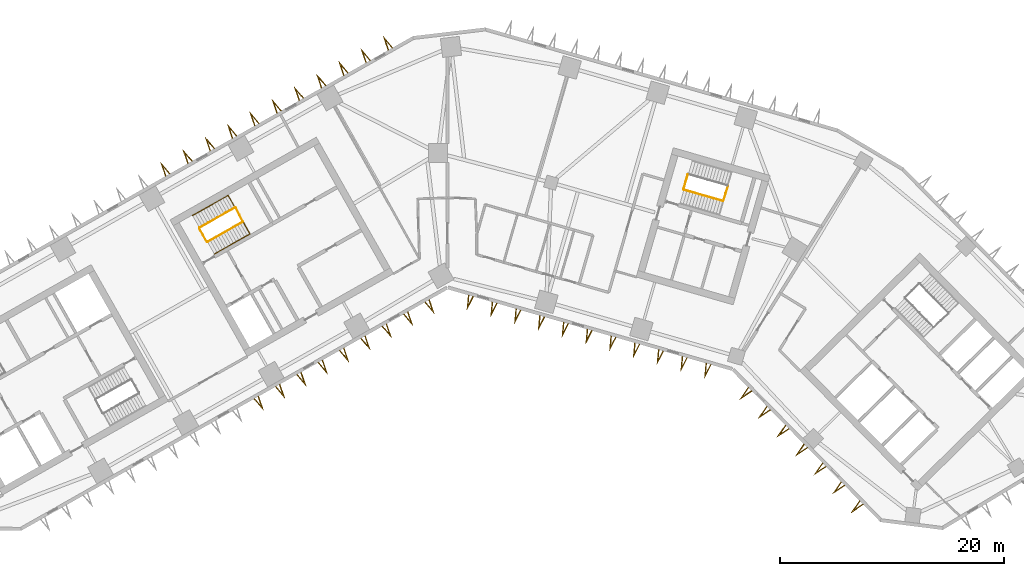
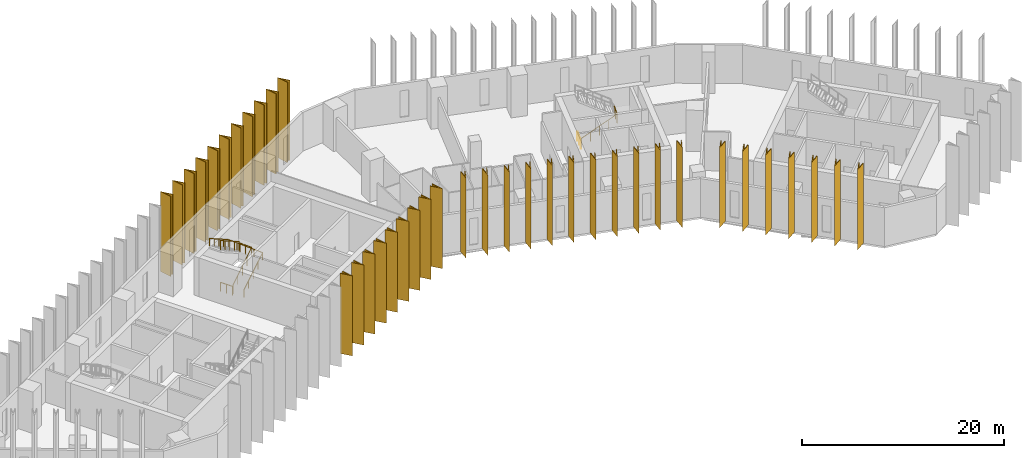
# One storey, part 10 of 11: 38 shading devices, 6 railings.
"""IFC4 building model written with IfcOpenShell, lengths in metres."""

from ifc_helpers import new_model, si_unit, direction, frame, origin, origin_2d, place, context, subcontext, project, spatial, polyline, circle, outline, extrude, material, type_object, element, save


model = new_model("IFC4")

# Units and contexts
model_context = context("Model", 3, precision=1e-05, world=origin(), true_north=direction((0.0, 1.0)))
body_context = subcontext(model_context, "Body", "Model", "MODEL_VIEW")
ifc_project = project(units=[si_unit("LENGTHUNIT", "METRE"), si_unit("AREAUNIT", "SQUARE_METRE"), si_unit("VOLUMEUNIT", "CUBIC_METRE"), si_unit("PLANEANGLEUNIT", "RADIAN"), si_unit("MASSUNIT", "GRAM", prefix="KILO")], contexts=[model_context])

# Site, building, storey
site_placement = place(None, origin())
site = spatial("IfcSite", under=ifc_project, at=site_placement, CompositionType="ELEMENT")
building_placement = place(site_placement, origin())
building = spatial("IfcBuilding", under=site, at=building_placement, Name="Binnacle Exchange Tower", CompositionType="ELEMENT")
storey_placement = place(building_placement, frame((0.0, 0.0, 46.5)))
storey = spatial("IfcBuildingStorey", under=building, at=storey_placement, Name="L09", CompositionType="ELEMENT", Elevation=46.5)

# Railings
ifc_material_1 = material(Name="Steel guard rail", Category="steel")
railing_type_1 = type_object("IfcRailingType", Name="STAIR GUARD 1100", PredefinedType="GUARDRAIL", material=ifc_material_1)
railing_1_placement = place(storey_placement, frame((-21.423828125, 52.07275390625, 0.178466796875)))
element("IfcRailing", 1, at=railing_1_placement, inside=storey, type_object=railing_type_1, Name="L09 STC1 stair guard 1", PredefinedType="GUARDRAIL", context=body_context, shape_type="SweptSolid", body=[
    extrude(circle(Radius=0.02392578125, at=origin_2d()), frame((0.0, 0.0, 1.076171875), z_axis=(0.733838880464, 0.415127627455, 0.537726278364), x_axis=(-0.492371057291, 0.870385398511, 0.0)), (0.0, 0.0, 1.0), 4.3173828125),
    extrude(circle(Radius=0.02392578125, at=origin_2d()), frame((3.168212890625, 1.792236328125, 3.3974609375), z_axis=(-0.461100321709, 0.887348011391, 0.0), x_axis=(-0.887348011391, -0.461100321709, 0.0)), (0.0, 0.0, 1.0), 1.40087890625),
    extrude(circle(Radius=0.02099609375, at=origin_2d()), origin(), (0.0, 0.0, 1.0), 1.052001953125),
    extrude(circle(Radius=0.02099609375, at=origin_2d()), frame((0.7919921875, 0.447998046875, 0.580322265625)), (0.0, 0.0, 1.0), 1.052001953125),
    extrude(circle(Radius=0.02099609375, at=origin_2d()), frame((1.583984375, 0.89599609375, 1.16064453125)), (0.0, 0.0, 1.0), 1.052001953125),
    extrude(circle(Radius=0.02099609375, at=origin_2d()), frame((2.376220703125, 1.34423828125, 1.7412109375)), (0.0, 0.0, 1.0), 1.052001953125),
    extrude(circle(Radius=0.02099609375, at=origin_2d()), frame((3.168212890625, 1.792236328125, 2.321533203125)), (0.0, 0.0, 1.0), 1.052001953125),
    extrude(circle(Radius=0.02099609375, at=origin_2d()), frame((2.84521484375, 2.413818359375, 2.321533203125)), (0.0, 0.0, 1.0), 1.052001953125),
    extrude(circle(Radius=0.02099609375, at=origin_2d()), frame((2.522216796875, 3.035400390625, 2.321533203125)), (0.0, 0.0, 1.0), 1.052001953125),
])
railing_2_placement = place(storey_placement, frame((-18.9697265625, 55.126953125, 2.678466796875)))
element("IfcRailing", 2, at=railing_2_placement, inside=storey, type_object=railing_type_1, Name="L09 STC1 stair guard 2", PredefinedType="GUARDRAIL", context=body_context, shape_type="SweptSolid", body=[
    extrude(circle(Radius=0.02392578125, at=origin_2d()), frame((0.0, 0.0, 1.076171875), z_axis=(-0.733812782489, -0.415144854829, 0.537748593457), x_axis=(0.492399802317, -0.870369137021, 0.0)), (0.0, 0.0, 1.0), 4.317138671875),
    extrude(circle(Radius=0.02099609375, at=origin_2d()), origin(), (0.0, 0.0, 1.0), 1.052001953125),
    extrude(circle(Radius=0.02099609375, at=origin_2d()), frame((-0.7919921875, -0.447998046875, 0.580322265625)), (0.0, 0.0, 1.0), 1.052001953125),
    extrude(circle(Radius=0.02099609375, at=origin_2d()), frame((-1.583984375, -0.89599609375, 1.16064453125)), (0.0, 0.0, 1.0), 1.052001953125),
    extrude(circle(Radius=0.02099609375, at=origin_2d()), frame((-2.3759765625, -1.34423828125, 1.7412109375)), (0.0, 0.0, 1.0), 1.052001953125),
    extrude(circle(Radius=0.02099609375, at=origin_2d()), frame((-3.16796875, -1.792236328125, 2.321533203125)), (0.0, 0.0, 1.0), 1.052001953125),
])
railing_3_placement = place(storey_placement, frame((-21.491943359375, 52.091552734375, 0.0)))
element("IfcRailing", 3, at=railing_3_placement, inside=storey, type_object=railing_type_1, Name="L09 STC1 stair guard 3", PredefinedType="GUARDRAIL", context=body_context, shape_type="SweptSolid", body=[
    extrude(circle(Radius=0.02392578125, at=origin_2d()), frame((0.0, 0.0, 1.076171875), z_axis=(-0.49241474071, 0.870360685654, 0.0), x_axis=(-0.870360685654, -0.49241474071, 0.0)), (0.0, 0.0, 1.0), 1.35009765625),
    extrude(circle(Radius=0.02099609375, at=origin_2d()), origin(), (0.0, 0.0, 1.0), 1.052001953125),
    extrude(circle(Radius=0.02099609375, at=origin_2d()), frame((-0.33251953125, 0.58740234375, 0.0)), (0.0, 0.0, 1.0), 1.052001953125),
    extrude(circle(Radius=0.02099609375, at=origin_2d()), frame((-0.664794921875, 1.175048828125, 0.0)), (0.0, 0.0, 1.0), 1.052001953125),
])
railing_4_placement = place(storey_placement, frame((21.086669921875, 56.71044921875, 0.178466796875)))
element("IfcRailing", 4, at=railing_4_placement, inside=storey, type_object=railing_type_1, Name="L09 STD1 stair guard 1", PredefinedType="GUARDRAIL", context=body_context, shape_type="SweptSolid", body=[
    extrude(circle(Radius=0.02392578125, at=origin_2d()), frame((0.0, 0.0, 1.076171875), z_axis=(0.810455892038, -0.232415135102, 0.537721537635), x_axis=(0.275659984683, 0.961255206927, 0.0)), (0.0, 0.0, 1.0), 4.3173828125),
    extrude(circle(Radius=0.02392578125, at=origin_2d()), frame((3.4990234375, -1.00341796875, 3.3974609375), z_axis=(0.309684985722, 0.950839213337, 0.0), x_axis=(-0.950839213337, 0.309684985722, 0.0)), (0.0, 0.0, 1.0), 1.40087890625),
    extrude(circle(Radius=0.02099609375, at=origin_2d()), origin(), (0.0, 0.0, 1.0), 1.052001953125),
    extrude(circle(Radius=0.02099609375, at=origin_2d()), frame((0.874755859375, -0.2509765625, 0.580322265625)), (0.0, 0.0, 1.0), 1.052001953125),
    extrude(circle(Radius=0.02099609375, at=origin_2d()), frame((1.74951171875, -0.501708984375, 1.16064453125)), (0.0, 0.0, 1.0), 1.052001953125),
    extrude(circle(Radius=0.02099609375, at=origin_2d()), frame((2.624267578125, -0.75244140625, 1.7412109375)), (0.0, 0.0, 1.0), 1.052001953125),
    extrude(circle(Radius=0.02099609375, at=origin_2d()), frame((3.4990234375, -1.00341796875, 2.321533203125)), (0.0, 0.0, 1.0), 1.052001953125),
    extrude(circle(Radius=0.02099609375, at=origin_2d()), frame((3.7158203125, -0.33740234375, 2.321533203125)), (0.0, 0.0, 1.0), 1.052001953125),
    extrude(circle(Radius=0.02099609375, at=origin_2d()), frame((3.932861328125, 0.32861328125, 2.321533203125)), (0.0, 0.0, 1.0), 1.052001953125),
])
railing_5_placement = place(storey_placement, frame((21.05224609375, 56.772216796875, 0.0)))
element("IfcRailing", 5, at=railing_5_placement, inside=storey, type_object=railing_type_1, Name="L09 STD1 stair guard 3", PredefinedType="GUARDRAIL", context=body_context, shape_type="SweptSolid", body=[
    extrude(circle(Radius=0.02392578125, at=origin_2d()), frame((0.0, 0.0, 1.076171875), z_axis=(0.275795817769, 0.961216243569, 0.0), x_axis=(-0.961216243569, 0.275795817769, 0.0)), (0.0, 0.0, 1.0), 1.349853515625),
    extrude(circle(Radius=0.02099609375, at=origin_2d()), origin(), (0.0, 0.0, 1.0), 1.052001953125),
    extrude(circle(Radius=0.02099609375, at=origin_2d()), frame((0.18603515625, 0.64892578125, 0.0)), (0.0, 0.0, 1.0), 1.052001953125),
    extrude(circle(Radius=0.02099609375, at=origin_2d()), frame((0.372314453125, 1.297607421875, 0.0)), (0.0, 0.0, 1.0), 1.052001953125),
])
ifc_material_2 = material(Name="Steel handrail", Category="steel")
railing_type_2 = type_object("IfcRailingType", Name="STAIR HANDRAIL 900", PredefinedType="HANDRAIL", material=ifc_material_2)
railing_6_placement = place(storey_placement, frame((-20.808349609375, 50.984619140625, 0.178466796875)))
element("IfcRailing", 6, at=railing_6_placement, inside=storey, type_object=railing_type_2, Name="L09 STC1 stair handrail 1", PredefinedType="HANDRAIL", context=body_context, shape_type="SweptSolid", body=[
    extrude(circle(Radius=0.02392578125, at=origin_2d()), frame((0.0, 0.0, 0.8759765625), z_axis=(0.733821652932, 0.415174429824, 0.537713654753), x_axis=(-0.492421866095, 0.870356654361, 0.0)), (0.0, 0.0, 1.0), 4.3173828125),
    extrude(circle(Radius=0.02392578125, at=origin_2d()), frame((3.168212890625, 1.79248046875, 3.197265625), z_axis=(-0.491911810019, 0.86947434526, 0.045134621956), x_axis=(-0.870361318571, -0.492413622004, 0.0)), (0.0, 0.0, 1.0), 3.9541015625),
    extrude(circle(Radius=0.02392578125, at=origin_2d()), frame((1.22314453125, 5.23046875, 3.3759765625), z_axis=(-0.733821652932, -0.415174429824, 0.537713654753), x_axis=(0.492421866095, -0.870356654361, 0.0)), (0.0, 0.0, 1.0), 4.3173828125),
    extrude(circle(Radius=0.02099609375, at=origin_2d()), origin(), (0.0, 0.0, 1.0), 0.851806640625),
    extrude(circle(Radius=0.02099609375, at=origin_2d()), frame((0.7919921875, 0.4482421875, 0.580322265625)), (0.0, 0.0, 1.0), 0.851806640625),
    extrude(circle(Radius=0.02099609375, at=origin_2d()), frame((1.583984375, 0.896240234375, 1.16064453125)), (0.0, 0.0, 1.0), 0.851806640625),
    extrude(circle(Radius=0.02099609375, at=origin_2d()), frame((2.376220703125, 1.34423828125, 1.7412109375)), (0.0, 0.0, 1.0), 0.851806640625),
    extrude(circle(Radius=0.02099609375, at=origin_2d()), frame((3.168212890625, 1.79248046875, 2.321533203125)), (0.0, 0.0, 1.0), 0.851806640625),
    extrude(circle(Radius=0.02099609375, at=origin_2d()), frame((2.681884765625, 2.65185546875, 2.3662109375)), (0.0, 0.0, 1.0), 0.851806640625),
    extrude(circle(Radius=0.02099609375, at=origin_2d()), frame((2.19580078125, 3.511474609375, 2.41064453125)), (0.0, 0.0, 1.0), 0.851806640625),
    extrude(circle(Radius=0.02099609375, at=origin_2d()), frame((1.70947265625, 4.37109375, 2.455322265625)), (0.0, 0.0, 1.0), 0.851806640625),
    extrude(circle(Radius=0.02099609375, at=origin_2d()), frame((1.22314453125, 5.23046875, 2.5)), (0.0, 0.0, 1.0), 0.851806640625),
    extrude(circle(Radius=0.02099609375, at=origin_2d()), frame((0.43115234375, 4.7822265625, 3.080322265625)), (0.0, 0.0, 1.0), 0.851806640625),
    extrude(circle(Radius=0.02099609375, at=origin_2d()), frame((-0.36083984375, 4.334228515625, 3.66064453125)), (0.0, 0.0, 1.0), 0.851806640625),
    extrude(circle(Radius=0.02099609375, at=origin_2d()), frame((-1.153076171875, 3.88623046875, 4.2412109375)), (0.0, 0.0, 1.0), 0.851806640625),
    extrude(circle(Radius=0.02099609375, at=origin_2d()), frame((-1.945068359375, 3.43798828125, 4.821533203125)), (0.0, 0.0, 1.0), 0.851806640625),
])

# Shading devices
ifc_material_3 = material(Name="Bronze aluminium cladding", Category="aluminium")
shading_device_type = type_object("IfcShadingDeviceType", Name="V FIN 1300 DEEP x 9680 HIGH", PredefinedType="USERDEFINED", material=ifc_material_3)
shading_device_1_placement = place(storey_placement, origin())
element("IfcShadingDevice", 7, at=shading_device_1_placement, inside=storey, type_object=shading_device_type, Name="V fin FN-F03-01 L09", ObjectType="FIN", PredefinedType="USERDEFINED", context=body_context, shape_type="SweptSolid", body=[
    extrude(outline(polyline([(-4.88916015625, 69.40625), (-5.746826171875, 70.41455078125), (-5.32421875, 69.159912109375), (-5.25341796875, 69.2001953125), (-5.5380859375, 70.0458984375), (-4.9599609375, 69.3662109375), (-4.88916015625, 69.40625)])), origin(), (0.0, 0.0, 1.0), 9.679931640625),
])
shading_device_2_placement = place(storey_placement, origin())
element("IfcShadingDevice", 8, at=shading_device_2_placement, inside=storey, type_object=shading_device_type, Name="V fin FN-F03-02 L09", ObjectType="FIN", PredefinedType="USERDEFINED", context=body_context, shape_type="SweptSolid", body=[
    extrude(outline(polyline([(-6.87548828125, 68.2822265625), (-7.7333984375, 69.290771484375), (-7.310791015625, 68.0361328125), (-7.239990234375, 68.076171875), (-7.524658203125, 68.922119140625), (-6.946533203125, 68.2421875), (-6.87548828125, 68.2822265625)])), origin(), (0.0, 0.0, 1.0), 9.679931640625),
])
shading_device_3_placement = place(storey_placement, origin())
element("IfcShadingDevice", 9, at=shading_device_3_placement, inside=storey, type_object=shading_device_type, Name="V fin FN-F03-03 L09", ObjectType="FIN", PredefinedType="USERDEFINED", context=body_context, shape_type="SweptSolid", body=[
    extrude(outline(polyline([(-8.862060546875, 67.158203125), (-9.719970703125, 68.166748046875), (-9.29736328125, 66.912109375), (-9.226318359375, 66.9521484375), (-9.51123046875, 67.798095703125), (-8.93310546875, 67.1181640625), (-8.862060546875, 67.158203125)])), origin(), (0.0, 0.0, 1.0), 9.679931640625),
])
shading_device_4_placement = place(storey_placement, origin())
element("IfcShadingDevice", 10, at=shading_device_4_placement, inside=storey, type_object=shading_device_type, Name="V fin FN-F03-04 L09", ObjectType="FIN", PredefinedType="USERDEFINED", context=body_context, shape_type="SweptSolid", body=[
    extrude(outline(polyline([(-10.8486328125, 66.034423828125), (-11.70654296875, 67.042724609375), (-11.283935546875, 65.7880859375), (-11.212890625, 65.828369140625), (-11.497802734375, 66.674072265625), (-10.919677734375, 65.994384765625), (-10.8486328125, 66.034423828125)])), origin(), (0.0, 0.0, 1.0), 9.679931640625),
])
shading_device_5_placement = place(storey_placement, origin())
element("IfcShadingDevice", 11, at=shading_device_5_placement, inside=storey, type_object=shading_device_type, Name="V fin FN-F03-05 L09", ObjectType="FIN", PredefinedType="USERDEFINED", context=body_context, shape_type="SweptSolid", body=[
    extrude(outline(polyline([(-12.835205078125, 64.910400390625), (-13.693115234375, 65.9189453125), (-13.2705078125, 64.664306640625), (-13.199462890625, 64.704345703125), (-13.484375, 65.55029296875), (-12.906005859375, 64.870361328125), (-12.835205078125, 64.910400390625)])), origin(), (0.0, 0.0, 1.0), 9.679931640625),
])
shading_device_6_placement = place(storey_placement, origin())
element("IfcShadingDevice", 12, at=shading_device_6_placement, inside=storey, type_object=shading_device_type, Name="V fin FN-F03-06 L09", ObjectType="FIN", PredefinedType="USERDEFINED", context=body_context, shape_type="SweptSolid", body=[
    extrude(outline(polyline([(-14.82177734375, 63.78662109375), (-15.6796875, 64.794921875), (-15.257080078125, 63.540283203125), (-15.18603515625, 63.580322265625), (-15.470947265625, 64.42626953125), (-14.892578125, 63.746337890625), (-14.82177734375, 63.78662109375)])), origin(), (0.0, 0.0, 1.0), 9.679931640625),
])
shading_device_7_placement = place(storey_placement, origin())
element("IfcShadingDevice", 13, at=shading_device_7_placement, inside=storey, type_object=shading_device_type, Name="V fin FN-F03-07 L09", ObjectType="FIN", PredefinedType="USERDEFINED", context=body_context, shape_type="SweptSolid", body=[
    extrude(outline(polyline([(-16.808349609375, 62.66259765625), (-17.666015625, 63.6708984375), (-17.243408203125, 62.41650390625), (-17.172607421875, 62.45654296875), (-17.45751953125, 63.30224609375), (-16.879150390625, 62.62255859375), (-16.808349609375, 62.66259765625)])), origin(), (0.0, 0.0, 1.0), 9.679931640625),
])
shading_device_8_placement = place(storey_placement, origin())
element("IfcShadingDevice", 14, at=shading_device_8_placement, inside=storey, type_object=shading_device_type, Name="V fin FN-F03-08 L09", ObjectType="FIN", PredefinedType="USERDEFINED", context=body_context, shape_type="SweptSolid", body=[
    extrude(outline(polyline([(-18.794921875, 61.53857421875), (-19.652587890625, 62.547119140625), (-19.22998046875, 61.29248046875), (-19.1591796875, 61.33251953125), (-19.444091796875, 62.17822265625), (-18.86572265625, 61.49853515625), (-18.794921875, 61.53857421875)])), origin(), (0.0, 0.0, 1.0), 9.679931640625),
])
shading_device_9_placement = place(storey_placement, origin())
element("IfcShadingDevice", 15, at=shading_device_9_placement, inside=storey, type_object=shading_device_type, Name="V fin FN-F03-09 L09", ObjectType="FIN", PredefinedType="USERDEFINED", context=body_context, shape_type="SweptSolid", body=[
    extrude(outline(polyline([(-20.781494140625, 60.414794921875), (-21.639404296875, 61.423095703125), (-21.216796875, 60.16845703125), (-21.145751953125, 60.20849609375), (-21.4306640625, 61.054443359375), (-20.852294921875, 60.37451171875), (-20.781494140625, 60.414794921875)])), origin(), (0.0, 0.0, 1.0), 9.679931640625),
])
shading_device_10_placement = place(storey_placement, origin())
element("IfcShadingDevice", 16, at=shading_device_10_placement, inside=storey, type_object=shading_device_type, Name="V fin FN-F03-10 L09", ObjectType="FIN", PredefinedType="USERDEFINED", context=body_context, shape_type="SweptSolid", body=[
    extrude(outline(polyline([(-22.76806640625, 59.290771484375), (-23.625732421875, 60.29931640625), (-23.203125, 59.044677734375), (-23.13232421875, 59.084716796875), (-23.4169921875, 59.930419921875), (-22.8388671875, 59.250732421875), (-22.76806640625, 59.290771484375)])), origin(), (0.0, 0.0, 1.0), 9.679931640625),
])
shading_device_11_placement = place(storey_placement, origin())
element("IfcShadingDevice", 17, at=shading_device_11_placement, inside=storey, type_object=shading_device_type, Name="V fin FN-F03-11 L09", ObjectType="FIN", PredefinedType="USERDEFINED", context=body_context, shape_type="SweptSolid", body=[
    extrude(outline(polyline([(-24.754638671875, 58.166748046875), (-25.6123046875, 59.17529296875), (-25.189697265625, 57.920654296875), (-25.118896484375, 57.960693359375), (-25.40380859375, 58.806396484375), (-24.825439453125, 58.126708984375), (-24.754638671875, 58.166748046875)])), origin(), (0.0, 0.0, 1.0), 9.679931640625),
])
shading_device_12_placement = place(storey_placement, origin())
element("IfcShadingDevice", 18, at=shading_device_12_placement, inside=storey, type_object=shading_device_type, Name="V fin FN-F07-11 L09", ObjectType="FIN", PredefinedType="USERDEFINED", context=body_context, shape_type="SweptSolid", body=[
    extrude(outline(polyline([(-17.28759765625, 38.046875), (-16.429931640625, 37.038330078125), (-16.8525390625, 38.29296875), (-16.92333984375, 38.2529296875), (-16.638671875, 37.406982421875), (-17.216796875, 38.0869140625), (-17.28759765625, 38.046875)])), origin(), (0.0, 0.0, 1.0), 9.679931640625),
])
shading_device_13_placement = place(storey_placement, origin())
element("IfcShadingDevice", 19, at=shading_device_13_placement, inside=storey, type_object=shading_device_type, Name="V fin FN-F07-12 L09", ObjectType="FIN", PredefinedType="USERDEFINED", context=body_context, shape_type="SweptSolid", body=[
    extrude(outline(polyline([(-15.3828125, 39.12451171875), (-14.525146484375, 38.1162109375), (-14.94775390625, 39.37060546875), (-15.0185546875, 39.33056640625), (-14.73388671875, 38.48486328125), (-15.31201171875, 39.16455078125), (-15.3828125, 39.12451171875)])), origin(), (0.0, 0.0, 1.0), 9.679931640625),
])
shading_device_14_placement = place(storey_placement, origin())
element("IfcShadingDevice", 20, at=shading_device_14_placement, inside=storey, type_object=shading_device_type, Name="V fin FN-F07-13 L09", ObjectType="FIN", PredefinedType="USERDEFINED", context=body_context, shape_type="SweptSolid", body=[
    extrude(outline(polyline([(-13.477783203125, 40.2021484375), (-12.6201171875, 39.19384765625), (-13.042724609375, 40.448486328125), (-13.113525390625, 40.408203125), (-12.828857421875, 39.5625), (-13.406982421875, 40.2421875), (-13.477783203125, 40.2021484375)])), origin(), (0.0, 0.0, 1.0), 9.679931640625),
])
shading_device_15_placement = place(storey_placement, origin())
element("IfcShadingDevice", 21, at=shading_device_15_placement, inside=storey, type_object=shading_device_type, Name="V fin FN-F07-14 L09", ObjectType="FIN", PredefinedType="USERDEFINED", context=body_context, shape_type="SweptSolid", body=[
    extrude(outline(polyline([(-11.572998046875, 41.280029296875), (-10.715087890625, 40.271484375), (-11.1376953125, 41.526123046875), (-11.208740234375, 41.486083984375), (-10.923828125, 40.640380859375), (-11.502197265625, 41.320068359375), (-11.572998046875, 41.280029296875)])), origin(), (0.0, 0.0, 1.0), 9.679931640625),
])
shading_device_16_placement = place(storey_placement, origin())
element("IfcShadingDevice", 22, at=shading_device_16_placement, inside=storey, type_object=shading_device_type, Name="V fin FN-F07-15 L09", ObjectType="FIN", PredefinedType="USERDEFINED", context=body_context, shape_type="SweptSolid", body=[
    extrude(outline(polyline([(-9.668212890625, 42.357666015625), (-8.810302734375, 41.349365234375), (-9.23291015625, 42.60400390625), (-9.303955078125, 42.563720703125), (-9.01904296875, 41.718017578125), (-9.597412109375, 42.397705078125), (-9.668212890625, 42.357666015625)])), origin(), (0.0, 0.0, 1.0), 9.679931640625),
])
shading_device_17_placement = place(storey_placement, origin())
element("IfcShadingDevice", 23, at=shading_device_17_placement, inside=storey, type_object=shading_device_type, Name="V fin FN-F07-16 L09", ObjectType="FIN", PredefinedType="USERDEFINED", context=body_context, shape_type="SweptSolid", body=[
    extrude(outline(polyline([(-7.76318359375, 43.435302734375), (-6.905517578125, 42.427001953125), (-7.327880859375, 43.681640625), (-7.39892578125, 43.6416015625), (-7.114013671875, 42.795654296875), (-7.6923828125, 43.4755859375), (-7.76318359375, 43.435302734375)])), origin(), (0.0, 0.0, 1.0), 9.679931640625),
])
shading_device_18_placement = place(storey_placement, origin())
element("IfcShadingDevice", 24, at=shading_device_18_placement, inside=storey, type_object=shading_device_type, Name="V fin FN-F07-17 L09", ObjectType="FIN", PredefinedType="USERDEFINED", context=body_context, shape_type="SweptSolid", body=[
    extrude(outline(polyline([(-5.8583984375, 44.51318359375), (-5.00048828125, 43.5048828125), (-5.423095703125, 44.759521484375), (-5.494140625, 44.71923828125), (-5.209228515625, 43.87353515625), (-5.78759765625, 44.55322265625), (-5.8583984375, 44.51318359375)])), origin(), (0.0, 0.0, 1.0), 9.679931640625),
])
shading_device_19_placement = place(storey_placement, origin())
element("IfcShadingDevice", 25, at=shading_device_19_placement, inside=storey, type_object=shading_device_type, Name="V fin FN-F07-18 L09", ObjectType="FIN", PredefinedType="USERDEFINED", context=body_context, shape_type="SweptSolid", body=[
    extrude(outline(polyline([(-3.95361328125, 45.5908203125), (-3.095703125, 44.58251953125), (-3.518310546875, 45.837158203125), (-3.589111328125, 45.797119140625), (-3.304443359375, 44.951171875), (-3.882568359375, 45.631103515625), (-3.95361328125, 45.5908203125)])), origin(), (0.0, 0.0, 1.0), 9.679931640625),
])
shading_device_20_placement = place(storey_placement, origin())
element("IfcShadingDevice", 26, at=shading_device_20_placement, inside=storey, type_object=shading_device_type, Name="V fin FN-F07-19 L09", ObjectType="FIN", PredefinedType="USERDEFINED", context=body_context, shape_type="SweptSolid", body=[
    extrude(outline(polyline([(-2.048583984375, 46.668701171875), (-1.19091796875, 45.660400390625), (-1.61328125, 46.914794921875), (-1.684326171875, 46.874755859375), (-1.3994140625, 46.029052734375), (-1.977783203125, 46.708740234375), (-2.048583984375, 46.668701171875)])), origin(), (0.0, 0.0, 1.0), 9.679931640625),
])
shading_device_21_placement = place(storey_placement, origin())
element("IfcShadingDevice", 27, at=shading_device_21_placement, inside=storey, type_object=shading_device_type, Name="V fin FN-F08-01 L09", ObjectType="FIN", PredefinedType="USERDEFINED", context=body_context, shape_type="SweptSolid", body=[
    extrude(outline(polyline([(1.837890625, 47.31689453125), (1.719970703125, 45.998291015625), (2.318603515625, 47.17919921875), (2.240234375, 47.201416015625), (1.836669921875, 46.405517578125), (1.916259765625, 47.29443359375), (1.837890625, 47.31689453125)])), origin(), (0.0, 0.0, 1.0), 9.679931640625),
])
shading_device_22_placement = place(storey_placement, origin())
element("IfcShadingDevice", 28, at=shading_device_22_placement, inside=storey, type_object=shading_device_type, Name="V fin FN-F08-02 L09", ObjectType="FIN", PredefinedType="USERDEFINED", context=body_context, shape_type="SweptSolid", body=[
    extrude(outline(polyline([(3.957763671875, 46.708984375), (3.839599609375, 45.390625), (4.438232421875, 46.5712890625), (4.360107421875, 46.59375), (3.956298828125, 45.7978515625), (4.035888671875, 46.686767578125), (3.957763671875, 46.708984375)])), origin(), (0.0, 0.0, 1.0), 9.679931640625),
])
shading_device_23_placement = place(storey_placement, origin())
element("IfcShadingDevice", 29, at=shading_device_23_placement, inside=storey, type_object=shading_device_type, Name="V fin FN-F08-03 L09", ObjectType="FIN", PredefinedType="USERDEFINED", context=body_context, shape_type="SweptSolid", body=[
    extrude(outline(polyline([(6.077392578125, 46.101318359375), (5.95947265625, 44.78271484375), (6.55810546875, 45.96337890625), (6.479736328125, 45.98583984375), (6.076171875, 45.18994140625), (6.15576171875, 46.078857421875), (6.077392578125, 46.101318359375)])), origin(), (0.0, 0.0, 1.0), 9.679931640625),
])
shading_device_24_placement = place(storey_placement, origin())
element("IfcShadingDevice", 30, at=shading_device_24_placement, inside=storey, type_object=shading_device_type, Name="V fin FN-F08-04 L09", ObjectType="FIN", PredefinedType="USERDEFINED", context=body_context, shape_type="SweptSolid", body=[
    extrude(outline(polyline([(8.197021484375, 45.493408203125), (8.0791015625, 44.175048828125), (8.677734375, 45.355712890625), (8.599365234375, 45.378173828125), (8.19580078125, 44.582275390625), (8.275390625, 45.47119140625), (8.197021484375, 45.493408203125)])), origin(), (0.0, 0.0, 1.0), 9.679931640625),
])
shading_device_25_placement = place(storey_placement, origin())
element("IfcShadingDevice", 31, at=shading_device_25_placement, inside=storey, type_object=shading_device_type, Name="V fin FN-F08-05 L09", ObjectType="FIN", PredefinedType="USERDEFINED", context=body_context, shape_type="SweptSolid", body=[
    extrude(outline(polyline([(10.316650390625, 44.8857421875), (10.19873046875, 43.567138671875), (10.79736328125, 44.747802734375), (10.718994140625, 44.770263671875), (10.3154296875, 43.974365234375), (10.39501953125, 44.86328125), (10.316650390625, 44.8857421875)])), origin(), (0.0, 0.0, 1.0), 9.679931640625),
])
shading_device_26_placement = place(storey_placement, origin())
element("IfcShadingDevice", 32, at=shading_device_26_placement, inside=storey, type_object=shading_device_type, Name="V fin FN-F08-06 L09", ObjectType="FIN", PredefinedType="USERDEFINED", context=body_context, shape_type="SweptSolid", body=[
    extrude(outline(polyline([(12.436279296875, 44.27783203125), (12.318359375, 42.95947265625), (12.9169921875, 44.14013671875), (12.838623046875, 44.16259765625), (12.43505859375, 43.36669921875), (12.5146484375, 44.255615234375), (12.436279296875, 44.27783203125)])), origin(), (0.0, 0.0, 1.0), 9.679931640625),
])
shading_device_27_placement = place(storey_placement, origin())
element("IfcShadingDevice", 33, at=shading_device_27_placement, inside=storey, type_object=shading_device_type, Name="V fin FN-F08-07 L09", ObjectType="FIN", PredefinedType="USERDEFINED", context=body_context, shape_type="SweptSolid", body=[
    extrude(outline(polyline([(14.55615234375, 43.670166015625), (14.43798828125, 42.3515625), (15.03662109375, 43.5322265625), (14.95849609375, 43.5546875), (14.5546875, 42.7587890625), (14.634521484375, 43.647705078125), (14.55615234375, 43.670166015625)])), origin(), (0.0, 0.0, 1.0), 9.679931640625),
])
shading_device_28_placement = place(storey_placement, origin())
element("IfcShadingDevice", 34, at=shading_device_28_placement, inside=storey, type_object=shading_device_type, Name="V fin FN-F08-08 L09", ObjectType="FIN", PredefinedType="USERDEFINED", context=body_context, shape_type="SweptSolid", body=[
    extrude(outline(polyline([(16.67578125, 43.062255859375), (16.557861328125, 41.743896484375), (17.156494140625, 42.924560546875), (17.078125, 42.947021484375), (16.674560546875, 42.15087890625), (16.754150390625, 43.039794921875), (16.67578125, 43.062255859375)])), origin(), (0.0, 0.0, 1.0), 9.679931640625),
])
shading_device_29_placement = place(storey_placement, origin())
element("IfcShadingDevice", 35, at=shading_device_29_placement, inside=storey, type_object=shading_device_type, Name="V fin FN-F08-09 L09", ObjectType="FIN", PredefinedType="USERDEFINED", context=body_context, shape_type="SweptSolid", body=[
    extrude(outline(polyline([(18.79541015625, 42.454345703125), (18.677490234375, 41.135986328125), (19.276123046875, 42.316650390625), (19.19775390625, 42.339111328125), (18.794189453125, 41.543212890625), (18.873779296875, 42.431884765625), (18.79541015625, 42.454345703125)])), origin(), (0.0, 0.0, 1.0), 9.679931640625),
])
shading_device_30_placement = place(storey_placement, origin())
element("IfcShadingDevice", 36, at=shading_device_30_placement, inside=storey, type_object=shading_device_type, Name="V fin FN-F08-10 L09", ObjectType="FIN", PredefinedType="USERDEFINED", context=body_context, shape_type="SweptSolid", body=[
    extrude(outline(polyline([(20.9150390625, 41.8466796875), (20.797119140625, 40.528076171875), (21.395751953125, 41.708740234375), (21.3173828125, 41.731201171875), (20.913818359375, 40.935302734375), (20.993408203125, 41.82421875), (20.9150390625, 41.8466796875)])), origin(), (0.0, 0.0, 1.0), 9.679931640625),
])
shading_device_31_placement = place(storey_placement, origin())
element("IfcShadingDevice", 37, at=shading_device_31_placement, inside=storey, type_object=shading_device_type, Name="V fin FN-F08-11 L09", ObjectType="FIN", PredefinedType="USERDEFINED", context=body_context, shape_type="SweptSolid", body=[
    extrude(outline(polyline([(23.034912109375, 41.23876953125), (22.916748046875, 39.92041015625), (23.515380859375, 41.10107421875), (23.43701171875, 41.123291015625), (23.033447265625, 40.327392578125), (23.113037109375, 41.21630859375), (23.034912109375, 41.23876953125)])), origin(), (0.0, 0.0, 1.0), 9.679931640625),
])
shading_device_32_placement = place(storey_placement, origin())
element("IfcShadingDevice", 38, at=shading_device_32_placement, inside=storey, type_object=shading_device_type, Name="V fin FN-F09-01 L09", ObjectType="FIN", PredefinedType="USERDEFINED", context=body_context, shape_type="SweptSolid", body=[
    extrude(outline(polyline([(26.810791015625, 39.093505859375), (26.05859375, 38.00390625), (27.1611328125, 38.73681640625), (27.10400390625, 38.794921875), (26.36083984375, 38.30078125), (26.867919921875, 39.035400390625), (26.810791015625, 39.093505859375)])), origin(), (0.0, 0.0, 1.0), 9.679931640625),
])
shading_device_33_placement = place(storey_placement, origin())
element("IfcShadingDevice", 39, at=shading_device_33_placement, inside=storey, type_object=shading_device_type, Name="V fin FN-F09-02 L09", ObjectType="FIN", PredefinedType="USERDEFINED", context=body_context, shape_type="SweptSolid", body=[
    extrude(outline(polyline([(28.467529296875, 37.407470703125), (27.715576171875, 36.31787109375), (28.818115234375, 37.05078125), (28.760986328125, 37.10888671875), (28.017578125, 36.61474609375), (28.524658203125, 37.349365234375), (28.467529296875, 37.407470703125)])), origin(), (0.0, 0.0, 1.0), 9.679931640625),
])
shading_device_34_placement = place(storey_placement, origin())
element("IfcShadingDevice", 40, at=shading_device_34_placement, inside=storey, type_object=shading_device_type, Name="V fin FN-F09-03 L09", ObjectType="FIN", PredefinedType="USERDEFINED", context=body_context, shape_type="SweptSolid", body=[
    extrude(outline(polyline([(30.12451171875, 35.721435546875), (29.372314453125, 34.632080078125), (30.474853515625, 35.364990234375), (30.417724609375, 35.423095703125), (29.674560546875, 34.928955078125), (30.181396484375, 35.663330078125), (30.12451171875, 35.721435546875)])), origin(), (0.0, 0.0, 1.0), 9.679931640625),
])
shading_device_35_placement = place(storey_placement, origin())
element("IfcShadingDevice", 41, at=shading_device_35_placement, inside=storey, type_object=shading_device_type, Name="V fin FN-F09-04 L09", ObjectType="FIN", PredefinedType="USERDEFINED", context=body_context, shape_type="SweptSolid", body=[
    extrude(outline(polyline([(31.78125, 34.035400390625), (31.029296875, 32.94580078125), (32.131591796875, 33.6787109375), (32.07470703125, 33.73681640625), (31.331298828125, 33.242919921875), (31.83837890625, 33.977294921875), (31.78125, 34.035400390625)])), origin(), (0.0, 0.0, 1.0), 9.679931640625),
])
shading_device_36_placement = place(storey_placement, origin())
element("IfcShadingDevice", 42, at=shading_device_36_placement, inside=storey, type_object=shading_device_type, Name="V fin FN-F09-05 L09", ObjectType="FIN", PredefinedType="USERDEFINED", context=body_context, shape_type="SweptSolid", body=[
    extrude(outline(polyline([(33.43798828125, 32.349365234375), (32.68603515625, 31.260009765625), (33.78857421875, 31.992919921875), (33.7314453125, 32.05078125), (32.98828125, 31.556884765625), (33.4951171875, 32.291259765625), (33.43798828125, 32.349365234375)])), origin(), (0.0, 0.0, 1.0), 9.679931640625),
])
shading_device_37_placement = place(storey_placement, origin())
element("IfcShadingDevice", 43, at=shading_device_37_placement, inside=storey, type_object=shading_device_type, Name="V fin FN-F09-06 L09", ObjectType="FIN", PredefinedType="USERDEFINED", context=body_context, shape_type="SweptSolid", body=[
    extrude(outline(polyline([(35.094970703125, 30.663330078125), (34.343017578125, 29.573974609375), (35.4453125, 30.306884765625), (35.38818359375, 30.364990234375), (34.64501953125, 29.870849609375), (35.152099609375, 30.605224609375), (35.094970703125, 30.663330078125)])), origin(), (0.0, 0.0, 1.0), 9.679931640625),
])
shading_device_38_placement = place(storey_placement, origin())
element("IfcShadingDevice", 44, at=shading_device_38_placement, inside=storey, type_object=shading_device_type, Name="V fin FN-F09-07 L09", ObjectType="FIN", PredefinedType="USERDEFINED", context=body_context, shape_type="SweptSolid", body=[
    extrude(outline(polyline([(36.751708984375, 28.977294921875), (35.999755859375, 27.887939453125), (37.102294921875, 28.620849609375), (37.045166015625, 28.678955078125), (36.302001953125, 28.184814453125), (36.808837890625, 28.919189453125), (36.751708984375, 28.977294921875)])), origin(), (0.0, 0.0, 1.0), 9.679931640625),
])

save(model, "model.ifc")
